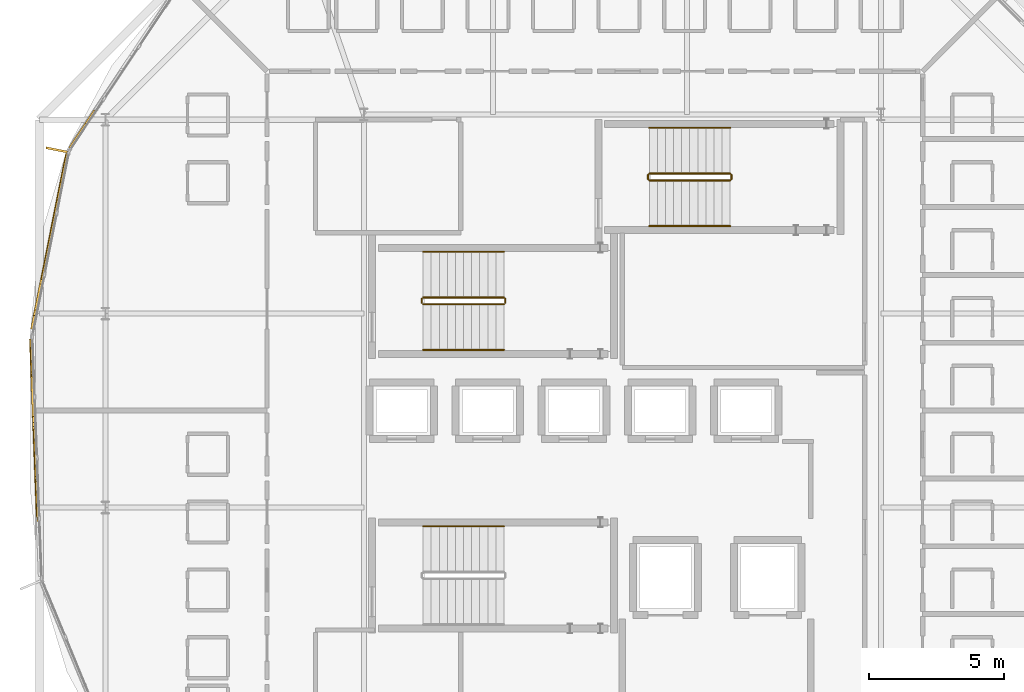
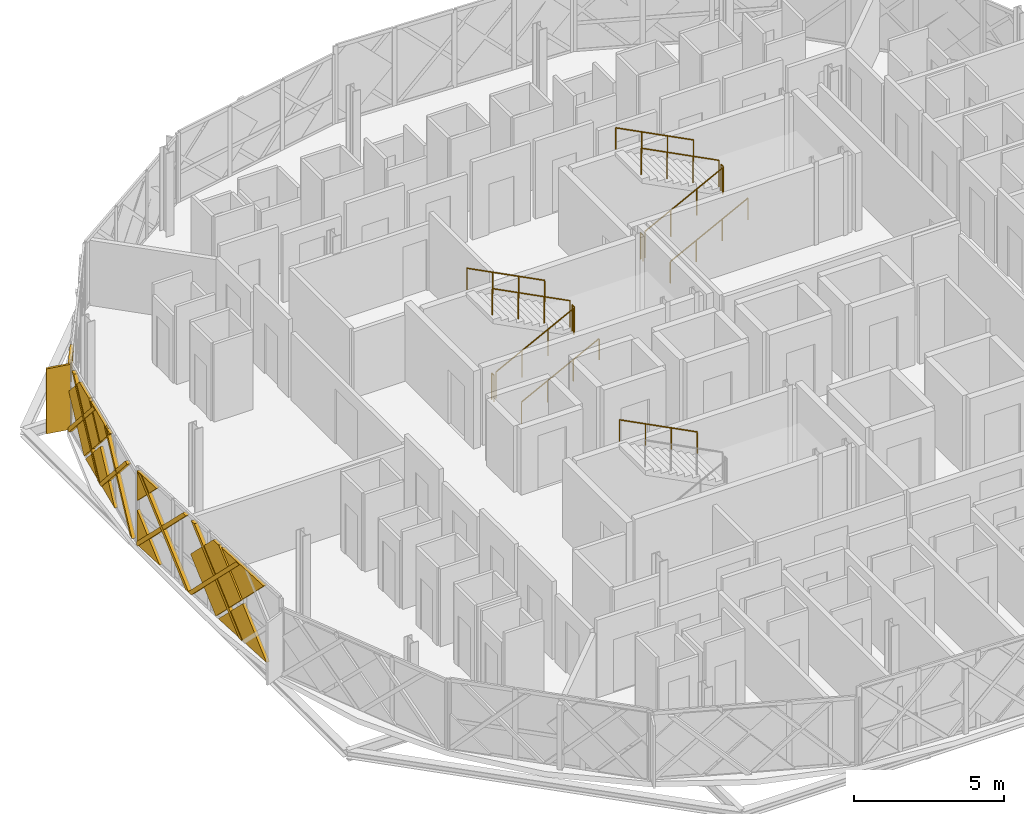
# One storey, part 22 of 24: 18 coverings, 13 railings, 1 shading device.
"""IFC4 building model written with IfcOpenShell, lengths in metres."""

from ifc_helpers import new_model, si_unit, direction, frame, origin, origin_2d, place, context, subcontext, project, spatial, polyline, rectangle, circle, outline, extrude, material, layer, layer_set, type_object, element, save


model = new_model("IFC4")

# Units and contexts
model_context = context("Model", 3, precision=1e-05, world=origin(), true_north=direction((0.0, 1.0)))
body_context = subcontext(model_context, "Body", "Model", "MODEL_VIEW")
ifc_project = project(units=[si_unit("LENGTHUNIT", "METRE"), si_unit("AREAUNIT", "SQUARE_METRE"), si_unit("VOLUMEUNIT", "CUBIC_METRE"), si_unit("PLANEANGLEUNIT", "RADIAN"), si_unit("MASSUNIT", "GRAM", prefix="KILO")], contexts=[model_context])

# Site, building, storey
site_placement = place(None, origin())
site = spatial("IfcSite", under=ifc_project, at=site_placement, CompositionType="ELEMENT")
building_placement = place(site_placement, origin())
building = spatial("IfcBuilding", under=site, at=building_placement, Name="Zevrakil Square Congress Hotel", CompositionType="ELEMENT")
storey_placement = place(building_placement, frame((0.0, 0.0, 31.699951171875)))
storey = spatial("IfcBuildingStorey", under=building, at=storey_placement, Name="L09", CompositionType="ELEMENT", Elevation=31.699951171875)

# Coverings
ifc_material_1 = material(Name="Architectural White Fibre-C GRC", Category="concrete")
ifc_layer_1 = layer(ifc_material_1, 0.06494140625)
ifc_layer_set_1 = layer_set([ifc_layer_1], Name="Architectural White Fibre-C GRC")
covering_type_1 = type_object("IfcCoveringType", Name="COV-DIA-WHITE", PredefinedType="CLADDING", material=ifc_layer_set_1)
covering_1_placement = place(storey_placement, frame((125.93212890625, 37.52099609375, 1.590087890625), z_axis=(-0.83149600157, 0.555530546087, 0.000460149731), x_axis=(-0.392816229785, -0.587365582302, -0.707599521159)))
element("IfcCovering", 1, at=covering_1_placement, inside=storey, type_object=covering_type_1, Name="L09 45-degree white GRC diamond facade cassette 3022", PredefinedType="CLADDING", context=body_context, shape_type="SweptSolid", body=[
    extrude(outline(polyline([(0.0, 0.0), (0.26256512026029744, 2.7755575615628914e-17), (1.1997259810693257, -0.9355668851349328), (0.0015047729310488922, -2.1354599433979136), (0.0, 0.0)])), origin(), (0.0, 0.0, -1.0), 0.1201171875),
])
covering_2_placement = place(storey_placement, frame((125.932373046875, 37.520751953125, 1.77001953125), z_axis=(-0.831333094423, 0.555774276743, 0.000489313306), x_axis=(0.393268238543, 0.587632261448, 0.707126875362)))
element("IfcCovering", 2, at=covering_2_placement, inside=storey, type_object=covering_type_1, Name="L09 45-degree white GRC diamond facade cassette 3024", PredefinedType="CLADDING", context=body_context, shape_type="SweptSolid", body=[
    extrude(outline(polyline([(0.0, 0.0), (1.2798682041318892, 1.1102230246251565e-16), (0.5087358830671984, -0.7711764660808422), (9.460400674760061e-05, -0.2626609633707844), (0.0, 0.0)])), origin(), (0.0, 0.0, -1.0), 0.1201171875),
])
covering_3_placement = place(storey_placement, frame((125.10400390625, 33.9541015625, 1.590087890625), z_axis=(-0.98079136516, 0.195058894266, 0.00057078403), x_axis=(-0.138328919404, -0.693473739757, -0.707077988855)))
element("IfcCovering", 3, at=covering_3_placement, inside=storey, type_object=covering_type_1, Name="L09 45-degree white GRC diamond facade cassette 3029", PredefinedType="CLADDING", context=body_context, shape_type="SweptSolid", body=[
    extrude(outline(polyline([(0.0, 0.0), (2.135563246805707, 0.0), (-0.00010681349564167775, -2.13549684401508), (0.0, 0.0)])), origin(), (0.0, 0.0, -1.0), 0.1201171875),
])
covering_4_placement = place(storey_placement, frame((125.12158203125, 34.042236328125, 1.679931640625), z_axis=(-0.980787427565, 0.195078619628, 0.000595058591), x_axis=(0.137533373179, 0.693626802269, -0.707083043521)))
element("IfcCovering", 4, at=covering_4_placement, inside=storey, type_object=covering_type_1, Name="L09 45-degree white GRC diamond facade cassette 3030", PredefinedType="CLADDING", context=body_context, shape_type="SweptSolid", body=[
    extrude(outline(polyline([(0.0, 0.0), (2.2484539980777076, -2.220446049250313e-16), (2.248533369849435, -2.2345729924202176), (2.2345505264594836, -2.248556769686357), (0.700045596290602, -2.248815146017716), (1.075966712882348e-05, -1.5488270647983153), (0.0, 0.0)])), origin(), (0.0, 0.0, -1.0), 0.1201171875),
])
covering_5_placement = place(storey_placement, frame((125.10400390625, 33.9541015625, 1.77001953125), z_axis=(-0.980790064393, 0.19506487225, 0.000738378098), x_axis=(0.138438335959, 0.693393997851, 0.707134775613)))
element("IfcCovering", 5, at=covering_5_placement, inside=storey, type_object=covering_type_1, Name="L09 45-degree white GRC diamond facade cassette 3031", PredefinedType="CLADDING", context=body_context, shape_type="SweptSolid", body=[
    extrude(outline(polyline([(0.0, 0.0), (1.4214078953383207, 1.1102230246251565e-16), (0.00014605447066495802, -1.421375158340581), (0.0, 0.0)])), origin(), (0.0, 0.0, -1.0), 0.1201171875),
])
covering_6_placement = place(storey_placement, frame((124.44775390625, 28.847412109375, 0.080078125), z_axis=(-0.999267310987, -0.038266864621, 0.000698759499), x_axis=(-0.038266873963, 0.999267554941, 0.0)))
element("IfcCovering", 6, at=covering_6_placement, inside=storey, type_object=covering_type_1, Name="L09 45-degree white GRC diamond facade cassette 3036", PredefinedType="CLADDING", context=body_context, shape_type="SweptSolid", body=[
    extrude(outline(polyline([(0.0, 0.0), (1.4099682711690467, 0.0), (1.4101748629803472, -1.4099124535803798), (0.0, 0.0)])), origin(), (0.0, 0.0, -1.0), 0.1201171875),
])
covering_7_placement = place(storey_placement, frame((124.647705078125, 23.641357421875, 1.590087890625), z_axis=(-0.999268516793, -0.038237521919, 0.00056856242), x_axis=(0.026637135829, -0.706627195536, -0.707084485421)))
element("IfcCovering", 7, at=covering_7_placement, inside=storey, type_object=covering_type_1, Name="L09 45-degree white GRC diamond facade cassette 3037", PredefinedType="CLADDING", context=body_context, shape_type="SweptSolid", body=[
    extrude(outline(polyline([(0.0, 0.0), (2.135543625631838, 0.0), (-7.675458893352527e-06, -2.135417325695998), (0.0, 0.0)])), origin(), (0.0, 0.0, -1.0), 0.1201171875),
])
covering_8_placement = place(storey_placement, frame((124.644287109375, 23.731201171875, 1.679931640625), z_axis=(-0.999271951669, -0.038147589721, 0.000572718795), x_axis=(-0.027380887561, 0.706624116545, -0.707059152344)))
element("IfcCovering", 8, at=covering_8_placement, inside=storey, type_object=covering_type_1, Name="L09 45-degree white GRC diamond facade cassette 3038", PredefinedType="CLADDING", context=body_context, shape_type="SweptSolid", body=[
    extrude(outline(polyline([(0.0, 0.0), (2.2485300132334354, 0.0), (2.2487860844881675, -2.248483886368871), (0.2546369733227337, -2.2487312480223345), (0.0001470677139084886, -1.9942754931253062), (0.0, 0.0)])), origin(), (0.0, 0.0, -1.0), 0.1201171875),
])
covering_9_placement = place(storey_placement, frame((124.39501953125, 30.256591796875, 1.8701171875), z_axis=(-0.999269247319, -0.038217946784, 0.000599921501), x_axis=(0.000600360108, 0.0, 0.999999819784)))
element("IfcCovering", 9, at=covering_9_placement, inside=storey, type_object=covering_type_1, Name="L09 45-degree white GRC diamond facade cassette 3039", PredefinedType="CLADDING", context=body_context, shape_type="SweptSolid", body=[
    extrude(outline(polyline([(0.0, 0.0), (1.2199709229834579, 0.0), (1.2199989182912252, -1.2201296745542123), (0.0, 0.0)])), origin(), (0.0, 0.0, -1.0), 0.1201171875),
])
covering_10_placement = place(storey_placement, frame((124.64794921875, 23.641357421875, 1.77001953125), z_axis=(-0.999266746814, -0.03828395643, 0.000554429488), x_axis=(-0.026678710306, 0.706593489126, 0.707116601093)))
element("IfcCovering", 10, at=covering_10_placement, inside=storey, type_object=covering_type_1, Name="L09 45-degree white GRC diamond facade cassette 3040", PredefinedType="CLADDING", context=body_context, shape_type="SweptSolid", body=[
    extrude(outline(polyline([(0.0, 0.0), (1.8668326515525953, -1.1102230246251565e-16), (1.2771288251389734e-05, -1.8668723059377708), (0.0, 0.0)])), origin(), (0.0, 0.0, -1.0), 0.1201171875),
])
ifc_material_2 = material(Name="Anodised Champagne Aluminium", Category="aluminium")
ifc_layer_2 = layer(ifc_material_2, 0.0849609375)
ifc_layer_set_2 = layer_set([ifc_layer_2], Name="Anodised Champagne Aluminium")
covering_type_2 = type_object("IfcCoveringType", Name="COV-DIAGRID-45", PredefinedType="MOLDING", material=ifc_layer_set_2)
covering_11_placement = place(storey_placement, frame((125.69775390625, 37.072021484375, 0.080078125), z_axis=(-0.980743858314, 0.195296659069, 0.000836262828), x_axis=(0.19529672755, 0.980744201211, 2.33904e-07)))
element("IfcCovering", 11, at=covering_11_placement, inside=storey, type_object=covering_type_2, Name="L09 45-degree aluminium diagrid rib 3032", PredefinedType="MOLDING", context=body_context, shape_type="SweptSolid", body=[
    extrude(outline(polyline([(0.0, 0.0), (0.08613597847163466, 1.6940658945086007e-21), (0.08613600793801345, -0.12597651845004662), (-2.4829109373976457, -2.695069906476649), (-2.6950189703846883, -2.6950698879588963), (0.0, 0.0)])), origin(), (0.0, 0.0, -1.0), 0.14501953125),
])
covering_12_placement = place(storey_placement, frame((125.042236328125, 33.776611328125, 0.080078125), z_axis=(-0.980668408794, 0.195673274055, 0.001200755303), x_axis=(0.195673415118, 0.980669115765, 0.0)))
element("IfcCovering", 12, at=covering_12_placement, inside=storey, type_object=covering_type_2, Name="L09 45-degree aluminium diagrid rib 3033", PredefinedType="MOLDING", context=body_context, shape_type="SweptSolid", body=[
    extrude(outline(polyline([(0.0, 0.0), (0.21210804863334146, 0.0), (-2.482910507950136, -2.6950703022697997), (-2.695018556583477, -2.6950703022697997), (0.0, 0.0)])), origin(), (0.0, 0.0, -1.0), 0.14501953125),
])
covering_13_placement = place(storey_placement, frame((125.64208984375, 36.784423828125, 2.775146484375), z_axis=(-0.980779270743, 0.195119819708, 0.000527292946), x_axis=(-0.195119846679, -0.980779407121, 2.97697e-07)))
element("IfcCovering", 13, at=covering_13_placement, inside=storey, type_object=covering_type_2, Name="L09 45-degree aluminium diagrid rib 3034", PredefinedType="MOLDING", context=body_context, shape_type="SweptSolid", body=[
    extrude(outline(polyline([(0.0, 0.0), (0.21206037816296855, 3.3881317890172014e-21), (2.906980462302474, -2.6950695994388063), (2.6948724474581875, -2.6950694731653324), (0.0, 0.0)])), origin(), (0.0, 0.0, -1.0), 0.14501953125),
])
covering_14_placement = place(storey_placement, frame((124.98681640625, 33.489013671875, 2.775146484375), z_axis=(-0.980691126263, 0.195563039841, 0.000110983325), x_axis=(-0.195563041047, -0.980691132302, -1.2491e-08)))
element("IfcCovering", 14, at=covering_14_placement, inside=storey, type_object=covering_type_2, Name="L09 45-degree aluminium diagrid rib 3035", PredefinedType="MOLDING", context=body_context, shape_type="SweptSolid", body=[
    extrude(outline(polyline([(0.0, 0.0), (0.2121080472899378, 8.470329472543003e-22), (2.907268815076776, -2.6950683396582678), (2.6949213412408657, -2.6950683449601445), (0.0, 0.0)])), origin(), (0.0, 0.0, -1.0), 0.14501953125),
])
covering_15_placement = place(storey_placement, frame((124.372314453125, 30.16943359375, 0.080078125), z_axis=(-0.999255591489, -0.038577243159, 0.000243285489), x_axis=(-0.038577244363, 0.999255621059, -2.56049e-07)))
element("IfcCovering", 15, at=covering_15_placement, inside=storey, type_object=covering_type_2, Name="L09 45-degree aluminium diagrid rib 3041", PredefinedType="MOLDING", context=body_context, shape_type="SweptSolid", body=[
    extrude(outline(polyline([(0.0, 0.0), (0.08624934464228091, 1.0587911840678754e-22), (0.08624931238609879, -0.12597655877185618), (-2.797765172683855, -3.010009133661041), (-3.009832293812488, -3.0100090490925675), (0.0, 0.0)])), origin(), (0.0, 0.0, -1.0), 0.14501953125),
])
covering_16_placement = place(storey_placement, frame((124.50048828125, 26.81201171875, 0.080078125), z_axis=(-0.999277712178, -0.037990972928, 0.000860186362), x_axis=(-0.037990986984, 0.999278081871, 0.0)))
element("IfcCovering", 16, at=covering_16_placement, inside=storey, type_object=covering_type_2, Name="L09 45-degree aluminium diagrid rib 3042", PredefinedType="MOLDING", context=body_context, shape_type="SweptSolid", body=[
    extrude(outline(polyline([(0.0, 0.0), (0.2120671576256312, -8.470329472543003e-22), (-2.7980167416461614, -3.010010879209699), (-3.010083899271793, -3.010010879209699), (0.0, 0.0)])), origin(), (0.0, 0.0, -1.0), 0.14501953125),
])
covering_17_placement = place(storey_placement, frame((124.373291015625, 30.191650390625, 3.090087890625), z_axis=(-0.999278825361, -0.037969143623, 0.000416314208), x_axis=(0.037969146918, -0.999278911957, 9.099e-09)))
element("IfcCovering", 17, at=covering_17_placement, inside=storey, type_object=covering_type_2, Name="L09 45-degree aluminium diagrid rib 3044", PredefinedType="MOLDING", context=body_context, shape_type="SweptSolid", body=[
    extrude(outline(polyline([(0.0, 0.0), (0.21206715757498132, -4.235164736271502e-22), (3.2222466197495736, -3.0100100557876353), (3.0099354975964783, -3.0100100519262614), (0.0, 0.0)])), origin(), (0.0, 0.0, -1.0), 0.14501953125),
])
covering_18_placement = place(storey_placement, frame((124.501708984375, 26.833984375, 3.090087890625), z_axis=(-0.999278826638, -0.037969143672, 0.000413234547), x_axis=(0.037969146917, -0.999278911957, 9.032e-09)))
element("IfcCovering", 18, at=covering_18_placement, inside=storey, type_object=covering_type_2, Name="L09 45-degree aluminium diagrid rib 3045", PredefinedType="MOLDING", context=body_context, shape_type="SweptSolid", body=[
    extrude(outline(polyline([(0.0, 0.0), (0.21206715757498132, -4.235164736271502e-22), (3.222002655374059, -3.010010051723667), (3.009691533220963, -3.0100100478908574), (0.0, 0.0)])), origin(), (0.0, 0.0, -1.0), 0.14501953125),
])

# Railings
ifc_material_3 = material(Name="Steel S355", Category="steel")
railing_type_1 = type_object("IfcRailingType", Name="RLG-STAIR-GUARD-1100", PredefinedType="BALUSTRADE", material=ifc_material_3)
railing_1_placement = place(storey_placement, frame((139.0, 31.550048828125, 0.154541015625)))
element("IfcRailing", 19, at=railing_1_placement, inside=storey, type_object=railing_type_1, Name="L09 ST02 stair guard 1", PredefinedType="BALUSTRADE", context=body_context, shape_type="SweptSolid", body=[
    extrude(circle(Radius=0.02392578125, at=origin_2d()), frame((0.0, 0.0, 1.076171875), z_axis=(0.888979911393, 0.0, 0.45794619459), x_axis=(0.0, 1.0, 0.0)), (0.0, 0.0, 1.0), 3.374755859375),
    extrude(circle(Radius=0.02099609375, at=origin_2d()), origin(), (0.0, 0.0, 1.0), 1.052001953125),
    extrude(circle(Radius=0.02099609375, at=origin_2d()), frame((1.0, 0.0, 0.51513671875)), (0.0, 0.0, 1.0), 1.052001953125),
    extrude(circle(Radius=0.02099609375, at=origin_2d()), frame((2.0, 0.0, 1.0302734375)), (0.0, 0.0, 1.0), 1.052001953125),
    extrude(circle(Radius=0.02099609375, at=origin_2d()), frame((3.0, 0.0, 1.54541015625)), (0.0, 0.0, 1.0), 1.052001953125),
])
railing_2_placement = place(storey_placement, frame((142.050048828125, 31.60009765625, 1.699951171875)))
element("IfcRailing", 20, at=railing_2_placement, inside=storey, type_object=railing_type_1, Name="L09 ST02 stair guard 2", PredefinedType="BALUSTRADE", context=body_context, shape_type="SweptSolid", body=[
    extrude(circle(Radius=0.02392578125, at=origin_2d()), frame((0.0, 0.0, 1.076171875), z_axis=(0.0, 1.0, 0.0), x_axis=(-1.0, 0.0, 0.0)), (0.0, 0.0, 1.0), 0.14990234375),
    extrude(circle(Radius=0.02099609375, at=origin_2d()), origin(), (0.0, 0.0, 1.0), 1.052001953125),
    extrude(circle(Radius=0.02099609375, at=origin_2d()), frame((0.0, 0.14990234375, 0.0)), (0.0, 0.0, 1.0), 1.052001953125),
])
railing_3_placement = place(storey_placement, frame((142.0, 31.800048828125, 1.8544921875)))
element("IfcRailing", 21, at=railing_3_placement, inside=storey, type_object=railing_type_1, Name="L09 ST02 stair guard 3", PredefinedType="BALUSTRADE", context=body_context, shape_type="SweptSolid", body=[
    extrude(circle(Radius=0.02392578125, at=origin_2d()), frame((0.0, 0.0, 1.076171875), z_axis=(-0.888950458371, 0.0, 0.45800336523), x_axis=(0.0, -1.0, 0.0)), (0.0, 0.0, 1.0), 3.374755859375),
    extrude(circle(Radius=0.02099609375, at=origin_2d()), origin(), (0.0, 0.0, 1.0), 1.052001953125),
    extrude(circle(Radius=0.02099609375, at=origin_2d()), frame((-1.0, 0.0, 0.51513671875)), (0.0, 0.0, 1.0), 1.052001953125),
    extrude(circle(Radius=0.02099609375, at=origin_2d()), frame((-2.0, 0.0, 1.030517578125)), (0.0, 0.0, 1.0), 1.052001953125),
    extrude(circle(Radius=0.02099609375, at=origin_2d()), frame((-3.0, 0.0, 1.545654296875)), (0.0, 0.0, 1.0), 1.052001953125),
])
railing_4_placement = place(storey_placement, frame((138.949951171875, 31.60009765625, 0.0)))
element("IfcRailing", 22, at=railing_4_placement, inside=storey, type_object=railing_type_1, Name="L09 ST02 stair guard 4", PredefinedType="BALUSTRADE", context=body_context, shape_type="SweptSolid", body=[
    extrude(circle(Radius=0.02392578125, at=origin_2d()), frame((0.0, 0.0, 1.076171875), z_axis=(0.0, 1.0, 0.0), x_axis=(-1.0, 0.0, 0.0)), (0.0, 0.0, 1.0), 0.14990234375),
    extrude(circle(Radius=0.02099609375, at=origin_2d()), origin(), (0.0, 0.0, 1.0), 1.052001953125),
    extrude(circle(Radius=0.02099609375, at=origin_2d()), frame((0.0, 0.14990234375, 0.0)), (0.0, 0.0, 1.0), 1.052001953125),
])
railing_5_placement = place(storey_placement, frame((147.39990234375, 36.14990234375, 0.154541015625)))
element("IfcRailing", 23, at=railing_5_placement, inside=storey, type_object=railing_type_1, Name="L09 ST03 stair guard 1", PredefinedType="BALUSTRADE", context=body_context, shape_type="SweptSolid", body=[
    extrude(circle(Radius=0.02392578125, at=origin_2d()), frame((0.0, 0.0, 1.076171875), z_axis=(0.888979911393, 0.0, 0.45794619459), x_axis=(0.0, 1.0, 0.0)), (0.0, 0.0, 1.0), 3.374755859375),
    extrude(circle(Radius=0.02099609375, at=origin_2d()), origin(), (0.0, 0.0, 1.0), 1.052001953125),
    extrude(circle(Radius=0.02099609375, at=origin_2d()), frame((1.0, 0.0, 0.51513671875)), (0.0, 0.0, 1.0), 1.052001953125),
    extrude(circle(Radius=0.02099609375, at=origin_2d()), frame((2.0, 0.0, 1.0302734375)), (0.0, 0.0, 1.0), 1.052001953125),
    extrude(circle(Radius=0.02099609375, at=origin_2d()), frame((3.0, 0.0, 1.54541015625)), (0.0, 0.0, 1.0), 1.052001953125),
])
railing_6_placement = place(storey_placement, frame((150.449951171875, 36.199951171875, 1.699951171875)))
element("IfcRailing", 24, at=railing_6_placement, inside=storey, type_object=railing_type_1, Name="L09 ST03 stair guard 2", PredefinedType="BALUSTRADE", context=body_context, shape_type="SweptSolid", body=[
    extrude(circle(Radius=0.02392578125, at=origin_2d()), frame((0.0, 0.0, 1.076171875), z_axis=(0.0, 1.0, 0.0), x_axis=(-1.0, 0.0, 0.0)), (0.0, 0.0, 1.0), 0.150146484375),
    extrude(circle(Radius=0.02099609375, at=origin_2d()), origin(), (0.0, 0.0, 1.0), 1.052001953125),
    extrude(circle(Radius=0.02099609375, at=origin_2d()), frame((0.0, 0.150146484375, 0.0)), (0.0, 0.0, 1.0), 1.052001953125),
])
railing_7_placement = place(storey_placement, frame((150.39990234375, 36.39990234375, 1.8544921875)))
element("IfcRailing", 25, at=railing_7_placement, inside=storey, type_object=railing_type_1, Name="L09 ST03 stair guard 3", PredefinedType="BALUSTRADE", context=body_context, shape_type="SweptSolid", body=[
    extrude(circle(Radius=0.02392578125, at=origin_2d()), frame((0.0, 0.0, 1.076171875), z_axis=(-0.888950458371, 0.0, 0.45800336523), x_axis=(0.0, -1.0, 0.0)), (0.0, 0.0, 1.0), 3.374755859375),
    extrude(circle(Radius=0.02099609375, at=origin_2d()), origin(), (0.0, 0.0, 1.0), 1.052001953125),
    extrude(circle(Radius=0.02099609375, at=origin_2d()), frame((-1.0, 0.0, 0.51513671875)), (0.0, 0.0, 1.0), 1.052001953125),
    extrude(circle(Radius=0.02099609375, at=origin_2d()), frame((-2.0, 0.0, 1.030517578125)), (0.0, 0.0, 1.0), 1.052001953125),
    extrude(circle(Radius=0.02099609375, at=origin_2d()), frame((-3.0, 0.0, 1.545654296875)), (0.0, 0.0, 1.0), 1.052001953125),
])
railing_8_placement = place(storey_placement, frame((147.35009765625, 36.199951171875, 0.0)))
element("IfcRailing", 26, at=railing_8_placement, inside=storey, type_object=railing_type_1, Name="L09 ST03 stair guard 4", PredefinedType="BALUSTRADE", context=body_context, shape_type="SweptSolid", body=[
    extrude(circle(Radius=0.02392578125, at=origin_2d()), frame((0.0, 0.0, 1.076171875), z_axis=(0.0, 1.0, 0.0), x_axis=(-1.0, 0.0, 0.0)), (0.0, 0.0, 1.0), 0.150146484375),
    extrude(circle(Radius=0.02099609375, at=origin_2d()), origin(), (0.0, 0.0, 1.0), 1.052001953125),
    extrude(circle(Radius=0.02099609375, at=origin_2d()), frame((0.0, 0.150146484375, 0.0)), (0.0, 0.0, 1.0), 1.052001953125),
])
ifc_material_4 = material(Name="Steel S355", Category="steel")
railing_type_2 = type_object("IfcRailingType", Name="RLG-STAIR-HAND-900", PredefinedType="HANDRAIL", material=ifc_material_4)
railing_9_placement = place(storey_placement, frame((142.0, 23.300048828125, 1.8544921875)))
element("IfcRailing", 27, at=railing_9_placement, inside=storey, type_object=railing_type_2, Name="L09 ST01 stair handrail 2", PredefinedType="HANDRAIL", context=body_context, shape_type="SweptSolid", body=[
    extrude(circle(Radius=0.02392578125, at=origin_2d()), frame((0.0, 0.0, 0.8759765625), z_axis=(-0.888950458371, 0.0, 0.45800336523), x_axis=(0.0, -1.0, 0.0)), (0.0, 0.0, 1.0), 3.374755859375),
    extrude(circle(Radius=0.02099609375, at=origin_2d()), origin(), (0.0, 0.0, 1.0), 0.851806640625),
    extrude(circle(Radius=0.02099609375, at=origin_2d()), frame((-1.0, 0.0, 0.51513671875)), (0.0, 0.0, 1.0), 0.851806640625),
    extrude(circle(Radius=0.02099609375, at=origin_2d()), frame((-2.0, 0.0, 1.030517578125)), (0.0, 0.0, 1.0), 0.851806640625),
    extrude(circle(Radius=0.02099609375, at=origin_2d()), frame((-3.0, 0.0, 1.545654296875)), (0.0, 0.0, 1.0), 0.851806640625),
])
railing_10_placement = place(storey_placement, frame((139.0, 29.85009765625, 0.154541015625)))
element("IfcRailing", 28, at=railing_10_placement, inside=storey, type_object=railing_type_2, Name="L09 ST02 stair handrail 1", PredefinedType="HANDRAIL", context=body_context, shape_type="SweptSolid", body=[
    extrude(circle(Radius=0.02392578125, at=origin_2d()), frame((0.0, 0.0, 0.8759765625), z_axis=(0.888979911393, 0.0, 0.45794619459), x_axis=(0.0, 1.0, 0.0)), (0.0, 0.0, 1.0), 3.374755859375),
    extrude(circle(Radius=0.02099609375, at=origin_2d()), origin(), (0.0, 0.0, 1.0), 0.851806640625),
    extrude(circle(Radius=0.02099609375, at=origin_2d()), frame((1.0, 0.0, 0.51513671875)), (0.0, 0.0, 1.0), 0.851806640625),
    extrude(circle(Radius=0.02099609375, at=origin_2d()), frame((2.0, 0.0, 1.0302734375)), (0.0, 0.0, 1.0), 0.851806640625),
    extrude(circle(Radius=0.02099609375, at=origin_2d()), frame((3.0, 0.0, 1.54541015625)), (0.0, 0.0, 1.0), 0.851806640625),
])
railing_11_placement = place(storey_placement, frame((142.0, 33.5, 1.8544921875)))
element("IfcRailing", 29, at=railing_11_placement, inside=storey, type_object=railing_type_2, Name="L09 ST02 stair handrail 2", PredefinedType="HANDRAIL", context=body_context, shape_type="SweptSolid", body=[
    extrude(circle(Radius=0.02392578125, at=origin_2d()), frame((0.0, 0.0, 0.8759765625), z_axis=(-0.888950458371, 0.0, 0.45800336523), x_axis=(0.0, -1.0, 0.0)), (0.0, 0.0, 1.0), 3.374755859375),
    extrude(circle(Radius=0.02099609375, at=origin_2d()), origin(), (0.0, 0.0, 1.0), 0.851806640625),
    extrude(circle(Radius=0.02099609375, at=origin_2d()), frame((-1.0, 0.0, 0.51513671875)), (0.0, 0.0, 1.0), 0.851806640625),
    extrude(circle(Radius=0.02099609375, at=origin_2d()), frame((-2.0, 0.0, 1.030517578125)), (0.0, 0.0, 1.0), 0.851806640625),
    extrude(circle(Radius=0.02099609375, at=origin_2d()), frame((-3.0, 0.0, 1.545654296875)), (0.0, 0.0, 1.0), 0.851806640625),
])
railing_12_placement = place(storey_placement, frame((147.39990234375, 34.449951171875, 0.154541015625)))
element("IfcRailing", 30, at=railing_12_placement, inside=storey, type_object=railing_type_2, Name="L09 ST03 stair handrail 1", PredefinedType="HANDRAIL", context=body_context, shape_type="SweptSolid", body=[
    extrude(circle(Radius=0.02392578125, at=origin_2d()), frame((0.0, 0.0, 0.8759765625), z_axis=(0.888979911393, 0.0, 0.45794619459), x_axis=(0.0, 1.0, 0.0)), (0.0, 0.0, 1.0), 3.374755859375),
    extrude(circle(Radius=0.02099609375, at=origin_2d()), origin(), (0.0, 0.0, 1.0), 0.851806640625),
    extrude(circle(Radius=0.02099609375, at=origin_2d()), frame((1.0, 0.0, 0.51513671875)), (0.0, 0.0, 1.0), 0.851806640625),
    extrude(circle(Radius=0.02099609375, at=origin_2d()), frame((2.0, 0.0, 1.0302734375)), (0.0, 0.0, 1.0), 0.851806640625),
    extrude(circle(Radius=0.02099609375, at=origin_2d()), frame((3.0, 0.0, 1.54541015625)), (0.0, 0.0, 1.0), 0.851806640625),
])
railing_13_placement = place(storey_placement, frame((150.39990234375, 38.10009765625, 1.8544921875)))
element("IfcRailing", 31, at=railing_13_placement, inside=storey, type_object=railing_type_2, Name="L09 ST03 stair handrail 2", PredefinedType="HANDRAIL", context=body_context, shape_type="SweptSolid", body=[
    extrude(circle(Radius=0.02392578125, at=origin_2d()), frame((0.0, 0.0, 0.8759765625), z_axis=(-0.888950458371, 0.0, 0.45800336523), x_axis=(0.0, -1.0, 0.0)), (0.0, 0.0, 1.0), 3.374755859375),
    extrude(circle(Radius=0.02099609375, at=origin_2d()), origin(), (0.0, 0.0, 1.0), 0.851806640625),
    extrude(circle(Radius=0.02099609375, at=origin_2d()), frame((-1.0, 0.0, 0.51513671875)), (0.0, 0.0, 1.0), 0.851806640625),
    extrude(circle(Radius=0.02099609375, at=origin_2d()), frame((-2.0, 0.0, 1.030517578125)), (0.0, 0.0, 1.0), 0.851806640625),
    extrude(circle(Radius=0.02099609375, at=origin_2d()), frame((-3.0, 0.0, 1.545654296875)), (0.0, 0.0, 1.0), 0.851806640625),
])

# Shading device
ifc_material_5 = material(Name="Aluminium Anodised Bronze", Category="aluminium")
shading_device_type = type_object("IfcShadingDeviceType", Name="SHD-FIN-85", PredefinedType="USERDEFINED", material=ifc_material_5)
shading_device_placement = place(storey_placement, frame((125.407470703125, 37.27880859375, 0.10009765625), z_axis=(0.0, 0.0, 1.0), x_axis=(-0.980785280403, 0.195090322016, 0.0)))
element("IfcShadingDevice", 32, at=shading_device_placement, inside=storey, type_object=shading_device_type, Name="L09 aluminium solar shading fin 169", ObjectType="SOLAR FIN", PredefinedType="USERDEFINED", context=body_context, shape_type="SweptSolid", body=[
    extrude(rectangle(XDim=0.85009765625, YDim=0.080078125, at=origin_2d()), origin(), (0.0, 0.0, 1.0), 2.655029296875),
])

save(model, "model.ifc")
